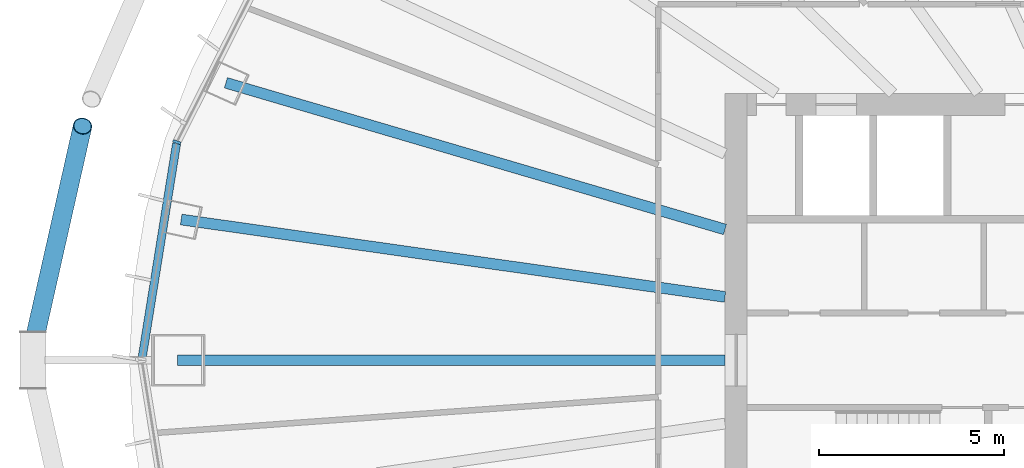
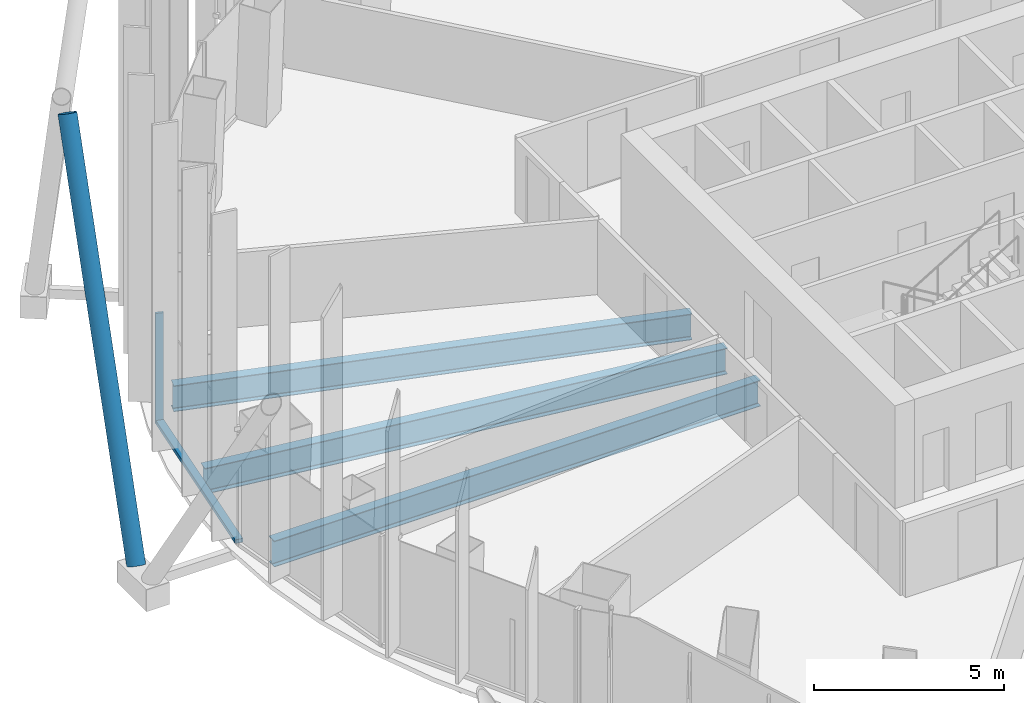
# One storey, part 3 of 22: 3 beams, 3 members, 1 element without a shape of its own.
"""IFC4 building model written with IfcOpenShell, lengths in metres."""

import ifcopenshell
import ifcopenshell.guid

model = None  # the IFC model being written
_history = None  # IfcOwnerHistory: only IFC2X3 demands one
_inside = {}  # id of a spatial element -> (the spatial element, [elements in it])
_under = {}  # id of a project, library or spatial element -> (it, [spatial elements below it])
_declared = {}  # id of a project -> (the project, [libraries it declares])
_typed = {}  # id of a type object -> (the type object, [elements of that type])
_made_of = {}  # id of a material, layer set ... -> (it, [elements and type objects made of it])


def new_model(schema):
    """Start an empty IFC model of exactly this schema.

    Asked for "IFC4X3", IfcOpenShell would pick the latest addendum, in which some entities
    have other attributes; the version numbers below select the first issue.
    IFC2X3 requires an IfcOwnerHistory on every rooted entity: one is made here for all.
    """
    global model, _history
    if schema == "IFC4X3":
        model = ifcopenshell.file(schema_version=(4, 3, 0, 0))
    else:
        model = ifcopenshell.file(schema=schema)
    _inside.clear()
    _under.clear()
    _declared.clear()
    _typed.clear()
    _made_of.clear()
    _history = None
    if model.schema == "IFC2X3":
        org = make("IfcOrganization", Name="unknown")
        user = make(
            "IfcPersonAndOrganization",
            ThePerson=make("IfcPerson", FamilyName="unknown"),
            TheOrganization=org,
        )
        app = make(
            "IfcApplication",
            ApplicationDeveloper=org,
            Version="unknown",
            ApplicationFullName="unknown",
            ApplicationIdentifier="unknown",
        )
        _history = make(
            "IfcOwnerHistory",
            OwningUser=user,
            OwningApplication=app,
            ChangeAction="ADDED",
            CreationDate=0,
        )
    return model


def make(cls, **values):
    """One entity of the class cls with the attributes given. An attribute that is None is left unset."""
    return model.create_entity(
        cls, **{name: value for name, value in values.items() if value is not None}
    )


def rooted(cls, **values):
    """An entity with a GlobalId (a new one), such as an element, a storey or a relation."""
    return make(cls, GlobalId=ifcopenshell.guid.new(), OwnerHistory=_history, **values)


def si_unit(unit_type, name, prefix=None):
    """IfcSIUnit, for example si_unit("LENGTHUNIT", "METRE", prefix="MILLI")."""
    return make("IfcSIUnit", UnitType=unit_type, Prefix=prefix, Name=name)


def assignment(units):
    """IfcUnitAssignment: the units of a project."""
    return None if units is None else make("IfcUnitAssignment", Units=units)


def point(xyz):
    """IfcCartesianPoint."""
    return None if xyz is None else make("IfcCartesianPoint", Coordinates=xyz)


def direction(xyz):
    """IfcDirection."""
    return None if xyz is None else make("IfcDirection", DirectionRatios=xyz)


def frame(location, z_axis=None, x_axis=None):
    """IfcAxis2Placement3D, a coordinate frame: its origin and axes. An axis left out is left unset."""
    return make(
        "IfcAxis2Placement3D",
        Location=point(location),
        Axis=direction(z_axis),
        RefDirection=direction(x_axis),
    )


def frame_2d(location, x_axis=None):
    """IfcAxis2Placement2D, a coordinate frame in the plane: its origin and x axis."""
    return make(
        "IfcAxis2Placement2D", Location=point(location), RefDirection=direction(x_axis)
    )


def origin():
    """The frame at (0, 0, 0) with its axes left unset."""
    return frame((0.0, 0.0, 0.0))


def origin_2d():
    """The frame at (0, 0) in the plane with its x axis left unset."""
    return frame_2d((0.0, 0.0))


def place(relative_to, where):
    """IfcLocalPlacement: puts the frame where relative to a parent placement (None: the world)."""
    return make(
        "IfcLocalPlacement", PlacementRelTo=relative_to, RelativePlacement=where
    )


def context(
    kind, dimensions, precision=None, world=None, true_north=None, identifier=None
):
    """IfcGeometricRepresentationContext, for example the 3D "Model" context."""
    return make(
        "IfcGeometricRepresentationContext",
        ContextIdentifier=identifier,
        ContextType=kind,
        CoordinateSpaceDimension=dimensions,
        Precision=precision,
        WorldCoordinateSystem=world,
        TrueNorth=true_north,
    )


def subcontext(parent, identifier, kind, view, scale=None):
    """IfcGeometricRepresentationSubContext, for example "Body" below "Model"."""
    return make(
        "IfcGeometricRepresentationSubContext",
        ContextIdentifier=identifier,
        ContextType=kind,
        ParentContext=parent,
        TargetScale=scale,
        TargetView=view,
    )


def project(units=None, contexts=None):
    """IfcProject with its units and contexts."""
    return rooted(
        "IfcProject",
        Name="project",
        RepresentationContexts=contexts,
        UnitsInContext=assignment(units),
    )


def spatial(cls, under=None, at=None, **own):
    """A site, building, storey or space (cls), placed at a placement, below another one or the project."""
    s = rooted(cls, ObjectPlacement=at, **own)
    if under is not None:
        _under.setdefault(under.id(), (under, []))[1].append(s)
    return s


def profile(cls, at=None, kind="AREA", **sizes):
    """A parametric profile (cls). Its sizes go by their IFC names, for example OverallWidth=200.0."""
    return make(cls, ProfileType=kind, Position=at, **sizes)


def rectangle(**sizes):
    """IfcRectangleProfileDef."""
    return profile("IfcRectangleProfileDef", **sizes)


def hollow_circle(**sizes):
    """IfcCircleHollowProfileDef."""
    return profile("IfcCircleHollowProfileDef", **sizes)


def i_section(**sizes):
    """IfcIShapeProfileDef."""
    return profile("IfcIShapeProfileDef", **sizes)


def extrude(swept, where, along, depth):
    """IfcExtrudedAreaSolid: the profile swept, set in the frame where, extruded along a direction by depth."""
    return make(
        "IfcExtrudedAreaSolid",
        SweptArea=swept,
        Position=where,
        ExtrudedDirection=direction(along),
        Depth=depth,
    )


def shape(context_of_items, identifier, shape_type, items):
    """IfcShapeRepresentation: the items that make up one representation, for example the "Body"."""
    return make(
        "IfcShapeRepresentation",
        ContextOfItems=context_of_items,
        RepresentationIdentifier=identifier,
        RepresentationType=shape_type,
        Items=items,
    )


def material(Name=None, Category=None):
    """IfcMaterial."""
    return make("IfcMaterial", Name=Name, Category=Category)


def layer(
    of_material, thickness, ventilated=None, Name=None, Category=None, Priority=None
):
    """IfcMaterialLayer: one layer of a wall or slab, of a material (None: an air gap)."""
    return make(
        "IfcMaterialLayer",
        Material=of_material,
        LayerThickness=thickness,
        IsVentilated=ventilated,
        Name=Name,
        Category=Category,
        Priority=Priority,
    )


def layer_set(layers, Name=None):
    """IfcMaterialLayerSet."""
    return make("IfcMaterialLayerSet", MaterialLayers=layers, LayerSetName=Name)


def material_profile(
    of_material, cross_section, Name=None, Category=None, Priority=None
):
    """IfcMaterialProfile: a cross section and its material."""
    return make(
        "IfcMaterialProfile",
        Name=Name,
        Material=of_material,
        Profile=cross_section,
        Priority=Priority,
        Category=Category,
    )


def profile_set(profiles, Name=None, composite=None):
    """IfcMaterialProfileSet."""
    return make(
        "IfcMaterialProfileSet",
        Name=Name,
        MaterialProfiles=profiles,
        CompositeProfile=composite,
    )


def made_of(thing, what):
    """Note that an element or type object is made of a material, layer set ...; save() writes the relation."""
    if what is not None:
        _made_of.setdefault(what.id(), (what, []))[1].append(thing)
    return thing


def type_object(cls, material=None, **own):
    """A type object (cls), such as IfcWallType, which elements share."""
    return made_of(rooted(cls, **own), material)


def element(
    cls,
    number,
    at=None,
    inside=None,
    cuts=None,
    type_object=None,
    material=None,
    context=None,
    identifier="Body",
    shape_type=None,
    held_by="IfcProductDefinitionShape",
    body=None,
    shapes=None,
    **own,
):
    """One element of the class cls, such as IfcWall. Its Tag is "e" and its number.

    at: its placement. inside: the storey or other place that contains it. cuts: it is an
    opening in that element (IfcRelVoidsElement). A single representation is given by context,
    identifier, shape_type and body (its items); several are given by shapes. held_by: the class
    of the entity that holds the representations. save() writes the other relations.
    """
    e = rooted(cls, Tag="e%d" % number, ObjectPlacement=at, **own)
    if body is not None:
        shapes = [shape(context, identifier, shape_type, body)]
    if shapes is not None:
        e.Representation = make(held_by, Representations=shapes)
    if inside is not None:
        _inside.setdefault(inside.id(), (inside, []))[1].append(e)
    if cuts is not None:
        rooted(
            "IfcRelVoidsElement", RelatingBuildingElement=cuts, RelatedOpeningElement=e
        )
    if type_object is not None:
        _typed.setdefault(type_object.id(), (type_object, []))[1].append(e)
    return made_of(e, material)


def aggregate(whole, parts):
    """IfcRelAggregates: a whole, such as a stair, and the parts it consists of."""
    return rooted("IfcRelAggregates", RelatingObject=whole, RelatedObjects=parts)


def save(model, path):
    """Write the relations noted so far, then the file.

    IfcRelAggregates (storeys below a building ...), IfcRelContainedInSpatialStructure (elements
    in a storey), IfcRelDefinesByType, IfcRelAssociatesMaterial and IfcRelDeclares: one each for
    every whole, place, type object, material and project.
    """
    for whole, parts in _under.values():
        aggregate(whole, parts)
    for where, things in _inside.values():
        rooted(
            "IfcRelContainedInSpatialStructure",
            RelatedElements=things,
            RelatingStructure=where,
        )
    for kind, things in _typed.values():
        rooted("IfcRelDefinesByType", RelatedObjects=things, RelatingType=kind)
    for what, things in _made_of.values():
        rooted("IfcRelAssociatesMaterial", RelatedObjects=things, RelatingMaterial=what)
    for by, libraries in _declared.values():
        rooted("IfcRelDeclares", RelatingContext=by, RelatedDefinitions=libraries)
    model.write(path)


model = new_model("IFC4")

# Units and contexts
model_context = context("Model", 3, precision=1e-05, world=origin(), true_north=direction((0.0, 1.0)))
body_context = subcontext(model_context, "Body", "Model", "MODEL_VIEW")
ifc_project = project(units=[si_unit("LENGTHUNIT", "METRE"), si_unit("AREAUNIT", "SQUARE_METRE"), si_unit("VOLUMEUNIT", "CUBIC_METRE"), si_unit("PLANEANGLEUNIT", "RADIAN"), si_unit("MASSUNIT", "GRAM", prefix="KILO")], contexts=[model_context])

# Site, building, storey
site_placement = place(None, origin())
site = spatial("IfcSite", under=ifc_project, at=site_placement, CompositionType="ELEMENT")
building_placement = place(site_placement, origin())
building = spatial("IfcBuilding", under=site, at=building_placement, Name="Siaravel Broadcast Tower", CompositionType="ELEMENT")
storey_placement = place(building_placement, frame((0.0, 0.0, 48.199951171875)))
storey = spatial("IfcBuildingStorey", under=building, at=storey_placement, Name="L10", CompositionType="ELEMENT", Elevation=48.199951171875)

# Beams
ifc_material_1 = material(Name="Steel S355", Category="steel")
ifc_material_profile_1 = material_profile(ifc_material_1, i_section(OverallWidth=0.291748046875, OverallDepth=0.8349609375, WebThickness=0.013916015625, FlangeThickness=0.018798828125, FilletRadius=0.017822265625, at=origin_2d()))
ifc_profile_set_1 = profile_set([ifc_material_profile_1], Name="Steel S355")
beam_type = type_object("IfcBeamType", Name="BM-UB 838x292x176", PredefinedType="BEAM", material=ifc_profile_set_1)
beam_1_placement = place(storey_placement, frame((-25.4619140625, 7.484130859375, -0.5673828125), z_axis=(0.959410927, -0.28201183, 0.0), x_axis=(0.28201183, 0.959410927, 0.0)))
element("IfcBeam", 1, at=beam_1_placement, inside=storey, type_object=beam_type, Name="Radial beam RB17", PredefinedType="BEAM", context=body_context, shape_type="SweptSolid", body=[
    extrude(i_section(OverallWidth=0.291748046875, OverallDepth=0.8349609375, WebThickness=0.013916015625, FlangeThickness=0.018798828125, FilletRadius=0.017822265625, at=origin_2d()), origin(), (0.0, 0.0, 1.0), 14.031494140625),
])
beam_2_placement = place(storey_placement, frame((-26.66845703125, 3.79638671875, -0.5673828125), z_axis=(0.99001891, -0.140934585, 0.0), x_axis=(0.140934585, 0.99001891, 0.0)))
element("IfcBeam", 2, at=beam_2_placement, inside=storey, type_object=beam_type, Name="Radial beam RB18", PredefinedType="BEAM", context=body_context, shape_type="SweptSolid", body=[
    extrude(i_section(OverallWidth=0.291748046875, OverallDepth=0.8349609375, WebThickness=0.013916015625, FlangeThickness=0.018798828125, FilletRadius=0.017822265625, at=origin_2d()), origin(), (0.0, 0.0, 1.0), 14.81640625),
])
beam_3_placement = place(storey_placement, frame((-26.77392578125, 0.0, -0.5673828125), z_axis=(1.0, 0.0, 0.0), x_axis=(0.0, 1.0, 0.0)))
element("IfcBeam", 3, at=beam_3_placement, inside=storey, type_object=beam_type, Name="Radial beam RB19", PredefinedType="BEAM", context=body_context, shape_type="SweptSolid", body=[
    extrude(i_section(OverallWidth=0.291748046875, OverallDepth=0.8349609375, WebThickness=0.013916015625, FlangeThickness=0.018798828125, FilletRadius=0.017822265625, at=origin_2d()), origin(), (0.0, 0.0, 1.0), 14.77392578125),
])

# Curtain wall, members
ifc_material_2 = material(Name="Aluminium 6063-T6", Category="aluminium")
ifc_layer = layer(ifc_material_2, 0.219970703125)
ifc_layer_set = layer_set([ifc_layer], Name="Aluminium 6063-T6")
curtain_wall_type = type_object("IfcCurtainWallType", Name="Unitised curtain wall, zone 1", PredefinedType="NOTDEFINED", material=ifc_layer_set)
curtain_wall_placement = place(storey_placement, origin())
curtain_wall = element("IfcCurtainWall", 4, at=curtain_wall_placement, inside=storey, type_object=curtain_wall_type, Name="L10 Unitised curtain wall, zone 1 06", PredefinedType="NOTDEFINED")
ifc_material_profile_2 = material_profile(ifc_material_2, rectangle(XDim=0.219970703125, YDim=0.070068359375, at=origin_2d()))
ifc_profile_set_2 = profile_set([ifc_material_profile_2], Name="Aluminium 6063-T6")
member_type_1 = type_object("IfcMemberType", Name="CW-Z1 mullion", PredefinedType="MULLION", material=ifc_profile_set_2)
member_1_placement = place(storey_placement, frame((-26.7861328125, 5.88427734375, 0.0), z_axis=(0.0, 0.0, 1.0), x_axis=(0.951177111, -0.308645596, 0.0)))
member_1 = element("IfcMember", 5, at=member_1_placement, type_object=member_type_1, Name="CW-Z1 mullion 2", PredefinedType="MULLION", context=body_context, shape_type="SweptSolid", body=[
    extrude(rectangle(XDim=0.219970703125, YDim=0.070068359375, at=origin_2d()), origin(), (0.0, 0.0, 1.0), 3.550048828125),
])
ifc_material_profile_3 = material_profile(ifc_material_2, rectangle(XDim=0.219970703125, YDim=0.1201171875, at=origin_2d()))
ifc_profile_set_3 = profile_set([ifc_material_profile_3], Name="Aluminium 6063-T6")
member_type_2 = type_object("IfcMemberType", Name="CW-Z1 transom", PredefinedType="USERDEFINED", material=ifc_profile_set_3)
member_2_placement = place(storey_placement, frame((-26.791748046875, 5.849609375, 0.06005859375), z_axis=(-0.158668659, -0.987331888, 0.0), x_axis=(0.987331888, -0.158668659, 0.0)))
member_2 = element("IfcMember", 6, at=member_2_placement, type_object=member_type_2, Name="CW-Z1 transom 2", ObjectType="TRANSOM", PredefinedType="USERDEFINED", context=body_context, shape_type="SweptSolid", body=[
    extrude(rectangle(XDim=0.219970703125, YDim=0.1201171875, at=origin_2d()), origin(), (0.0, 0.0, 1.0), 5.854736328125),
])
aggregate(curtain_wall, [member_1, member_2])

# Member
ifc_material_3 = material(Name="Steel S460", Category="steel")
ifc_material_profile_4 = material_profile(ifc_material_3, hollow_circle(Radius=0.25390625, WallThickness=0.02001953125, at=origin_2d()))
ifc_profile_set_4 = profile_set([ifc_material_profile_4], Name="Steel S460")
member_type_3 = type_object("IfcMemberType", Name="Diagrid diagonal CHS 508x20", PredefinedType="BRACE", material=ifc_profile_set_4)
member_3_placement = place(storey_placement, frame((-30.666015625, 0.37939453125, 0.1201171875), z_axis=(0.110574737, 0.490595958, 0.864343007), x_axis=(-0.975528504, 0.219873005, 0.0)))
element("IfcMember", 7, at=member_3_placement, inside=storey, type_object=member_type_3, Name="Diagrid diagonal R05 station 36C", PredefinedType="BRACE", context=body_context, shape_type="SweptSolid", body=[
    extrude(hollow_circle(Radius=0.25390625, WallThickness=0.02001953125, at=origin_2d()), origin(), (0.0, 0.0, 1.0), 12.1015625),
])

save(model, "model.ifc")
